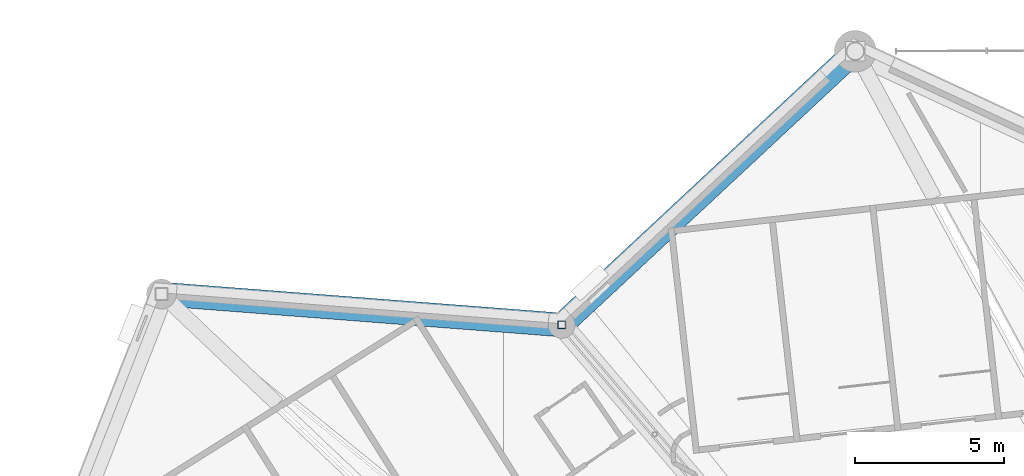
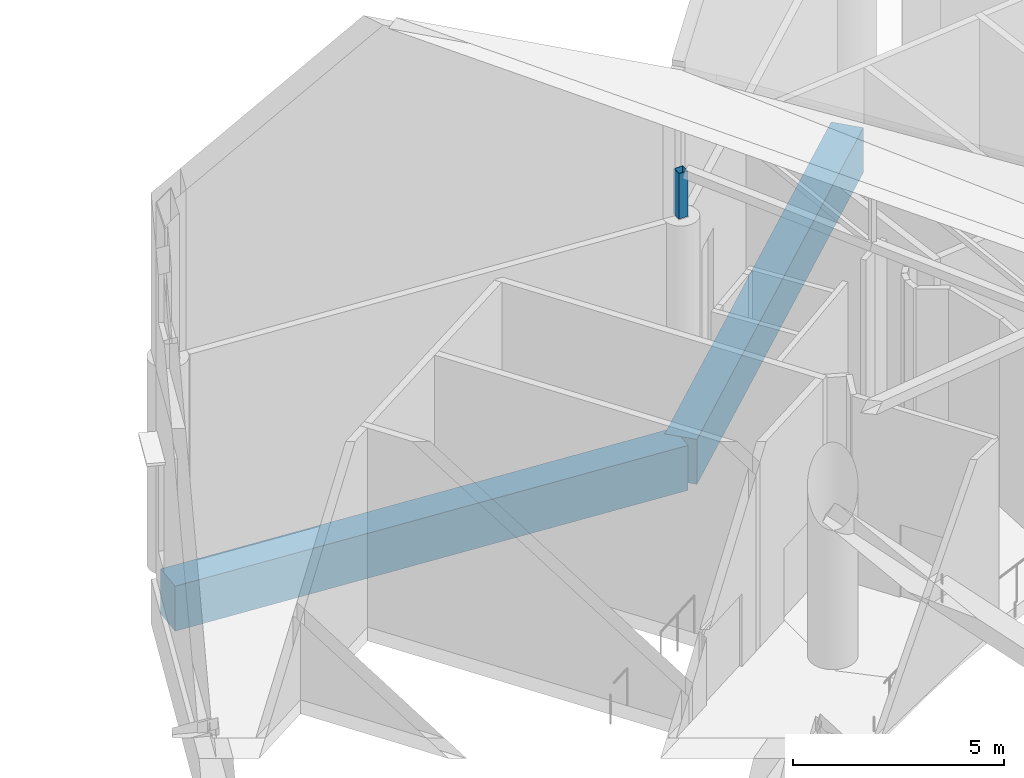
# One storey, part 160 of 344: 2 beams, 1 member.
"""IFC4 building model written with IfcOpenShell, lengths in metres."""

from ifc_helpers import new_model, si_unit, direction, frame, origin, origin_2d, place, context, subcontext, project, spatial, rectangle, hollow_rectangle, extrude, material, material_profile, profile_set, type_object, element, save


model = new_model("IFC4")

# Units and contexts
model_context = context("Model", 3, precision=1e-05, world=origin(), true_north=direction((0.0, 1.0)))
body_context = subcontext(model_context, "Body", "Model", "MODEL_VIEW")
ifc_project = project(units=[si_unit("LENGTHUNIT", "METRE"), si_unit("AREAUNIT", "SQUARE_METRE"), si_unit("VOLUMEUNIT", "CUBIC_METRE"), si_unit("PLANEANGLEUNIT", "RADIAN"), si_unit("MASSUNIT", "GRAM", prefix="KILO")], contexts=[model_context])

# Site, building, storey
site_placement = place(None, origin())
site = spatial("IfcSite", under=ifc_project, at=site_placement, CompositionType="ELEMENT")
building_placement = place(site_placement, origin())
building = spatial("IfcBuilding", under=site, at=building_placement, Name="Meseta Stadium", CompositionType="ELEMENT")
storey_placement = place(building_placement, frame((0.0, 0.0, 24.0)))
storey = spatial("IfcBuildingStorey", under=building, at=storey_placement, Name="L04", CompositionType="ELEMENT", Elevation=24.0)

# Beams
ifc_material_1 = material(Name="Concrete C40/50", Category="concrete")
ifc_material_profile_1 = material_profile(ifc_material_1, rectangle(XDim=0.800048828125, YDim=1.300048828125, at=origin_2d()), Name="RC 800x1300")
ifc_profile_set_1 = profile_set([ifc_material_profile_1], Name="Concrete C40/50")
beam_type = type_object("IfcBeamType", Name="RC beam 800x1300", PredefinedType="BEAM", material=ifc_profile_set_1)
for number, where, z_axis, x_axis, name in (
    (1, (-52.202880859375, 105.0517578125, -1.050048828125), (-0.73154053301, -0.681797952889, 0.0), (0.681797952889, -0.73154053301, 0.0), "L04 ring beam frame 22 line R"),
    (2, (-62.051513671875, 95.872802734375, -1.050048828125), (-0.997036858399, 0.076925307894, 0.0), (-0.076925307894, -0.997036858399, 0.0), "L04 ring beam frame 23 line R"),
):
    element("IfcBeam", number, at=place(storey_placement, frame(where, z_axis=z_axis, x_axis=x_axis)), inside=storey, type_object=beam_type, Name=name, PredefinedType="BEAM", context=body_context, shape_type="SweptSolid", body=[
        extrude(rectangle(XDim=0.800048828125, YDim=1.300048828125, at=origin_2d()), origin(), (0.0, 0.0, 1.0), 13.462890625),
    ])

# Member
ifc_material_2 = material(Name="Steel S355", Category="steel")
ifc_material_profile_2 = material_profile(ifc_material_2, hollow_rectangle(XDim=0.25, YDim=0.25, WallThickness=0.010009765625, at=origin_2d()), Name="SHS 250x250x10")
ifc_profile_set_2 = profile_set([ifc_material_profile_2], Name="Steel S355")
member_type = type_object("IfcMemberType", Name="SHS 250x250x10 rim post", PredefinedType="POST", material=ifc_profile_set_2)
member_placement = place(storey_placement, frame((-62.051513671875, 95.872802734375, 6.0), z_axis=(0.0, 0.0, 1.0), x_axis=(1.0, 0.0, 0.0)))
element("IfcMember", 3, at=member_placement, inside=storey, type_object=member_type, Name="ROOF RIM POST RT-23", PredefinedType="POST", context=body_context, shape_type="SweptSolid", body=[
    extrude(hollow_rectangle(XDim=0.25, YDim=0.25, WallThickness=0.010009765625, at=origin_2d()), origin(), (0.0, 0.0, 1.0), 1.31591796875),
])

save(model, "model.ifc")
